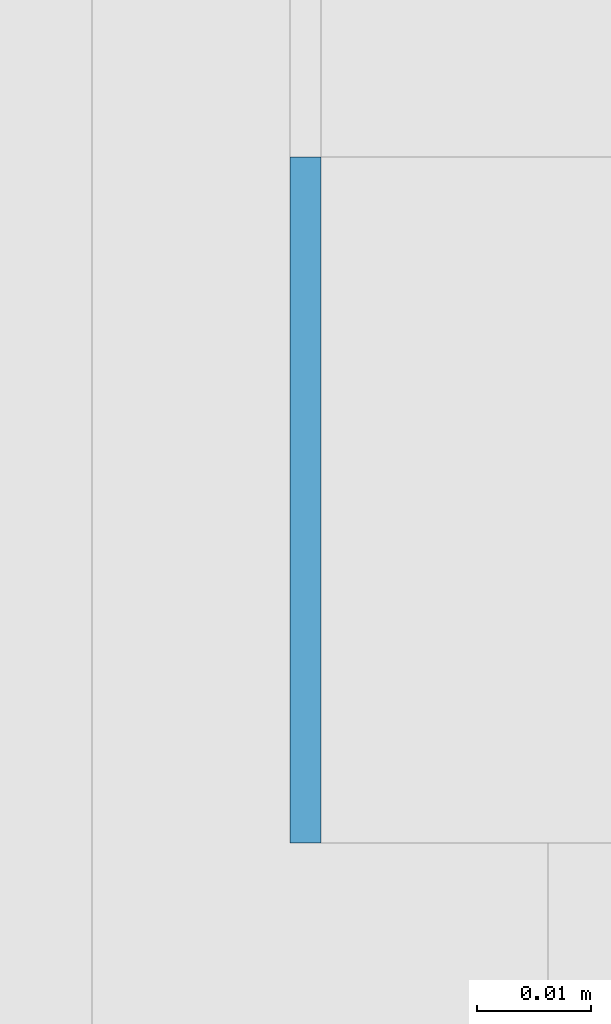
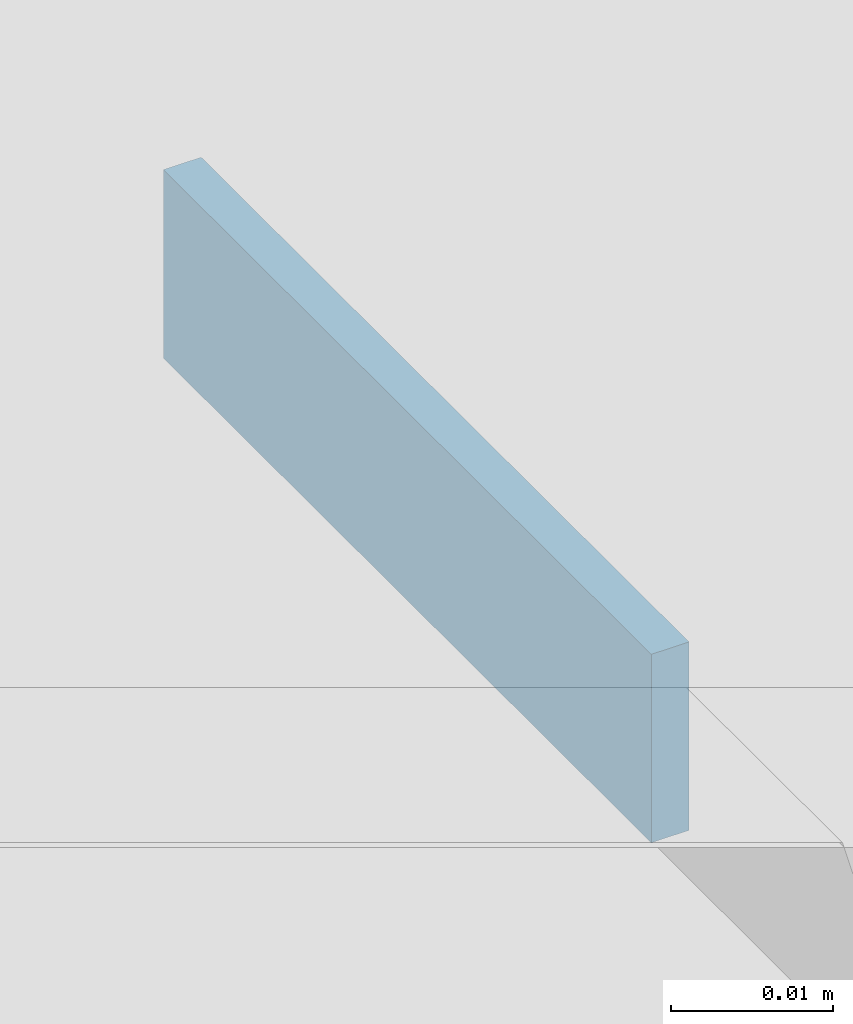
# One storey, part 555 of 646: 1 discrete accessory.
"""IFC4 building model written with IfcOpenShell, lengths in metres."""

from ifc_helpers import new_model, si_unit, direction, frame, origin, origin_2d, place, context, subcontext, project, spatial, rectangle, extrude, material, type_object, element, save


model = new_model("IFC4")

# Units and contexts
model_context = context("Model", 3, precision=1e-05, world=origin(), true_north=direction((0.0, 1.0)))
body_context = subcontext(model_context, "Body", "Model", "MODEL_VIEW")
ifc_project = project(units=[si_unit("LENGTHUNIT", "METRE"), si_unit("AREAUNIT", "SQUARE_METRE"), si_unit("VOLUMEUNIT", "CUBIC_METRE"), si_unit("PLANEANGLEUNIT", "RADIAN"), si_unit("MASSUNIT", "GRAM", prefix="KILO")], contexts=[model_context])

# Site, building, storey
site_placement = place(None, origin())
site = spatial("IfcSite", under=ifc_project, at=site_placement, CompositionType="ELEMENT")
building_placement = place(site_placement, origin())
building = spatial("IfcBuilding", under=site, at=building_placement, Name="Silverbay Arena", CompositionType="ELEMENT")
storey_placement = place(building_placement, frame((0.0, 0.0, 33.5)))
storey = spatial("IfcBuildingStorey", under=building, at=storey_placement, Name="L05", CompositionType="ELEMENT", Elevation=33.5)

# Discrete accessory
ifc_material = material(Name="Steel S355", Category="steel")
discrete_accessory_type = type_object("IfcDiscreteAccessoryType", Name="Steel bracket plate", PredefinedType="BRACKET", material=ifc_material)
discrete_accessory_placement = place(storey_placement, frame((207.128662109375, 98.969970703125, 12.98583984375), z_axis=(0.0, 0.0, 1.0), x_axis=(1.0, 0.0, 0.0)))
element("IfcDiscreteAccessory", 1, at=discrete_accessory_placement, inside=storey, type_object=discrete_accessory_type, Name="Curtain wall packing plate", PredefinedType="BRACKET", context=body_context, shape_type="SweptSolid", body=[
    extrude(rectangle(XDim=0.002685546875, YDim=0.06005859375, at=origin_2d()), origin(), (0.0, 0.0, 1.0), 0.01416015625),
])

save(model, "model.ifc")
